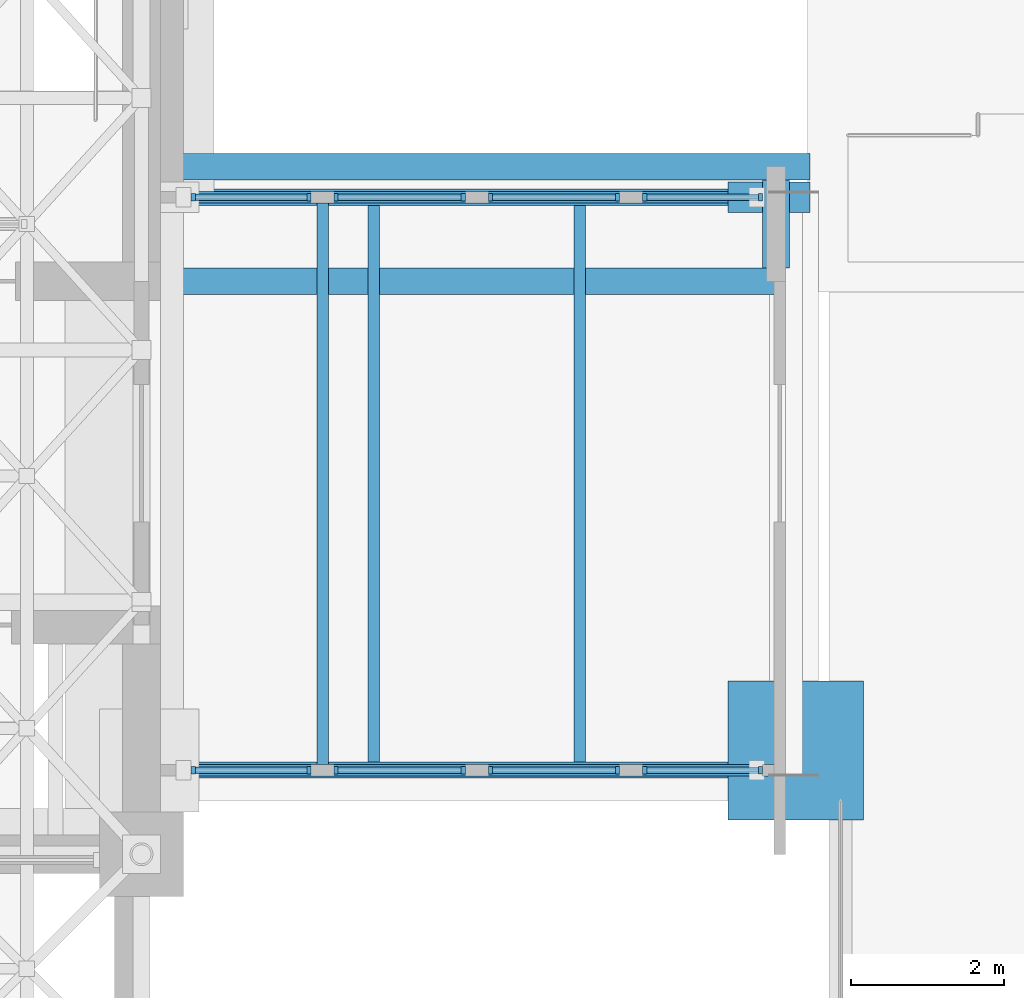
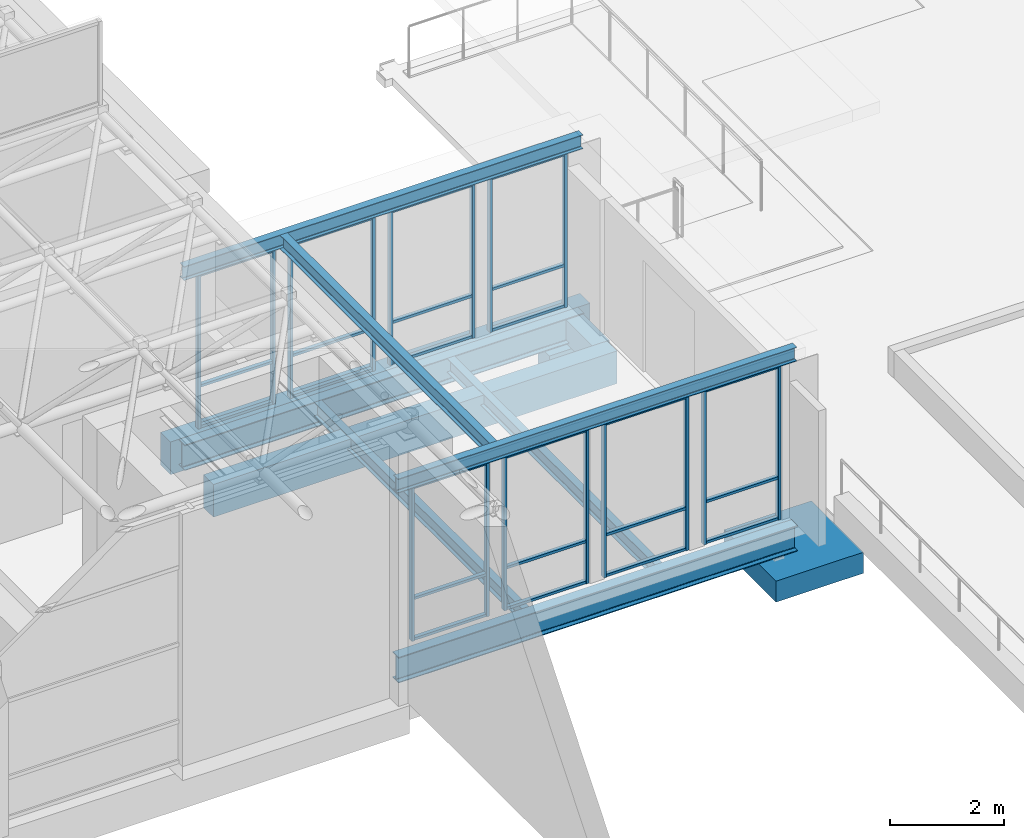
# One storey, part 12 of 53: 42 members, 10 beams, 8 elements without a shape of their own.
"""IFC4 building model written with IfcOpenShell, lengths in metres."""

from ifc_helpers import new_model, si_unit, direction, frame, origin, origin_2d, place, context, subcontext, project, spatial, rectangle, i_section, extrude, material, layer, layer_set, material_profile, profile_set, type_object, element, aggregate, save


model = new_model("IFC4")

# Units and contexts
model_context = context("Model", 3, precision=1e-05, world=origin(), true_north=direction((0.0, 1.0)))
body_context = subcontext(model_context, "Body", "Model", "MODEL_VIEW")
ifc_project = project(units=[si_unit("LENGTHUNIT", "METRE"), si_unit("AREAUNIT", "SQUARE_METRE"), si_unit("VOLUMEUNIT", "CUBIC_METRE"), si_unit("PLANEANGLEUNIT", "RADIAN"), si_unit("MASSUNIT", "GRAM", prefix="KILO")], contexts=[model_context])

# Site, building, storey
site_placement = place(None, origin())
site = spatial("IfcSite", under=ifc_project, at=site_placement, CompositionType="ELEMENT")
building_placement = place(site_placement, origin())
building = spatial("IfcBuilding", under=site, at=building_placement, Name="Aurelan Courthouse", CompositionType="ELEMENT")
storey_placement = place(building_placement, frame((0.0, 0.0, 12.0)))
storey = spatial("IfcBuildingStorey", under=building, at=storey_placement, Name="L02", CompositionType="ELEMENT", Elevation=12.0)

# Beams
ifc_material_1 = material(Name="Steel S355", Category="steel")
ifc_material_profile_1 = material_profile(ifc_material_1, i_section(OverallWidth=0.14990234375, OverallDepth=0.300048828125, WebThickness=0.007080078125, FlangeThickness=0.0107421875, FilletRadius=0.014892578125, at=origin_2d()), Name="IPE 300")
ifc_profile_set_1 = profile_set([ifc_material_profile_1], Name="Steel S355")
beam_type_1 = type_object("IfcBeamType", Name="Bridge cross beam IPE 300", PredefinedType="BEAM", material=ifc_profile_set_1)
for number, where, z_axis, x_axis, name in (
    (1, (66.043212890625, 13.205078125, -0.35009765625), (0.0, 1.0, 0.0), (-1.0, 0.0, 0.0), "Bridge cross beam BX-3"),
    (2, (68.73681640625, 13.205078125, -0.35009765625), (0.0, 1.0, 0.0), (-1.0, 0.0, 0.0), "Bridge cross beam BX-4"),
):
    element("IfcBeam", number, at=place(storey_placement, frame(where, z_axis=z_axis, x_axis=x_axis)), inside=storey, type_object=beam_type_1, Name=name, PredefinedType="BEAM", context=body_context, shape_type="SweptSolid", body=[
        extrude(i_section(OverallWidth=0.14990234375, OverallDepth=0.300048828125, WebThickness=0.007080078125, FlangeThickness=0.0107421875, FilletRadius=0.014892578125, at=origin_2d()), origin(), (0.0, 0.0, 1.0), 7.2900390625),
    ])
ifc_material_profile_2 = material_profile(ifc_material_1, i_section(OverallWidth=0.2099609375, OverallDepth=0.550048828125, WebThickness=0.010986328125, FlangeThickness=0.01708984375, FilletRadius=0.02392578125, at=origin_2d()), Name="IPE 550")
ifc_profile_set_2 = profile_set([ifc_material_profile_2], Name="Steel S355")
beam_type_2 = type_object("IfcBeamType", Name="Bridge girder IPE 550", PredefinedType="BEAM", material=ifc_profile_set_2)
for number, where, z_axis, x_axis, name in (
    (3, (63.35009765625, 13.10009765625, -0.47509765625), (1.0, 0.0, 0.0), (0.0, 1.0, 0.0), "Bridge girder BG-3"),
    (4, (63.35009765625, 20.60009765625, -0.47509765625), (1.0, 0.0, 0.0), (0.0, 1.0, 0.0), "Bridge girder BG-4"),
):
    element("IfcBeam", number, at=place(storey_placement, frame(where, z_axis=z_axis, x_axis=x_axis)), inside=storey, type_object=beam_type_2, Name=name, PredefinedType="BEAM", context=body_context, shape_type="SweptSolid", body=[
        extrude(i_section(OverallWidth=0.2099609375, OverallDepth=0.550048828125, WebThickness=0.010986328125, FlangeThickness=0.01708984375, FilletRadius=0.02392578125, at=origin_2d()), origin(), (0.0, 0.0, 1.0), 8.079833984375),
    ])

# Members
ifc_material_2 = material(Name="Concrete C50", Category="concrete")
member_type_1 = type_object("IfcMemberType", Name="Corbel 1070 x 400 x 450", PredefinedType="USERDEFINED", material=ifc_material_2)
member_1_placement = place(storey_placement, frame((71.215087890625, 20.60009765625, -1.25), z_axis=(0.0, 0.0, 1.0), x_axis=(1.0, 0.0, 0.0)))
element("IfcMember", 5, at=member_1_placement, inside=storey, type_object=member_type_1, Name="Corbel CO-8", ObjectType="CORBEL", PredefinedType="USERDEFINED", context=body_context, shape_type="SweptSolid", body=[
    extrude(rectangle(XDim=1.070068359375, YDim=0.39990234375, at=origin_2d()), origin(), (0.0, 0.0, 1.0), 0.449951171875),
])
member_type_2 = type_object("IfcMemberType", Name="Corbel 1770 x 1820 x 450", PredefinedType="USERDEFINED", material=ifc_material_2)
member_2_placement = place(storey_placement, frame((71.56494140625, 13.360107421875, -1.25), z_axis=(0.0, 0.0, 1.0), x_axis=(1.0, 0.0, 0.0)))
element("IfcMember", 6, at=member_2_placement, inside=storey, type_object=member_type_2, Name="Corbel CO-6", ObjectType="CORBEL", PredefinedType="USERDEFINED", context=body_context, shape_type="SweptSolid", body=[
    extrude(rectangle(XDim=1.77001953125, YDim=1.820068359375, at=origin_2d()), origin(), (0.0, 0.0, 1.0), 0.449951171875),
])

# Beams
ifc_material_profile_3 = material_profile(ifc_material_1, i_section(OverallWidth=0.14990234375, OverallDepth=0.300048828125, WebThickness=0.007080078125, FlangeThickness=0.0107421875, FilletRadius=0.014892578125, at=origin_2d()), Name="IPE 300")
ifc_profile_set_3 = profile_set([ifc_material_profile_3], Name="Steel S355")
beam_type_3 = type_object("IfcBeamType", Name="Passage cross beam IPE 300", PredefinedType="BEAM", material=ifc_profile_set_3)
beam_1_placement = place(storey_placement, frame((65.3701171875, 13.175048828125, 3.449951171875), z_axis=(0.0, 1.0, 0.0), x_axis=(-1.0, 0.0, 0.0)))
element("IfcBeam", 7, at=beam_1_placement, inside=storey, type_object=beam_type_3, Name="Passage cross beam BR2-BX", PredefinedType="BEAM", context=body_context, shape_type="SweptSolid", body=[
    extrude(i_section(OverallWidth=0.14990234375, OverallDepth=0.300048828125, WebThickness=0.007080078125, FlangeThickness=0.0107421875, FilletRadius=0.014892578125, at=origin_2d()), origin(), (0.0, 0.0, 1.0), 7.349853515625),
])
ifc_material_profile_4 = material_profile(ifc_material_1, i_section(OverallWidth=0.14990234375, OverallDepth=0.300048828125, WebThickness=0.007080078125, FlangeThickness=0.0107421875, FilletRadius=0.014892578125, at=origin_2d()), Name="IPE 300")
ifc_profile_set_4 = profile_set([ifc_material_profile_4], Name="Steel S355")
beam_type_4 = type_object("IfcBeamType", Name="Passage edge beam IPE 300", PredefinedType="BEAM", material=ifc_profile_set_4)
for number, where, z_axis, x_axis, name in (
    (8, (63.35009765625, 13.10009765625, 3.449951171875), (1.0, 0.0, 0.0), (0.0, 1.0, 0.0), "Passage edge beam BR2-BA"),
    (9, (63.35009765625, 20.60009765625, 3.449951171875), (1.0, 0.0, 0.0), (0.0, 1.0, 0.0), "Passage edge beam BR2-BB"),
):
    element("IfcBeam", number, at=place(storey_placement, frame(where, z_axis=z_axis, x_axis=x_axis)), inside=storey, type_object=beam_type_4, Name=name, PredefinedType="BEAM", context=body_context, shape_type="SweptSolid", body=[
        extrude(i_section(OverallWidth=0.14990234375, OverallDepth=0.300048828125, WebThickness=0.007080078125, FlangeThickness=0.0107421875, FilletRadius=0.014892578125, at=origin_2d()), origin(), (0.0, 0.0, 1.0), 8.079833984375),
    ])

# Curtain wall, members
ifc_material_3 = material(Name="Bronze-finished aluminium and glass", Category="aluminium")
ifc_layer_1 = layer(ifc_material_3, 0.1201171875)
ifc_layer_set_1 = layer_set([ifc_layer_1], Name="Bronze-finished aluminium and glass")
curtain_wall_type_1 = type_object("IfcCurtainWallType", Name="Passage glazing 1570 x 3300", PredefinedType="NOTDEFINED", material=ifc_layer_set_1)
curtain_wall_1_placement = place(storey_placement, origin())
curtain_wall_1 = element("IfcCurtainWall", 10, at=curtain_wall_1_placement, inside=storey, type_object=curtain_wall_type_1, Name="Curtain wall CW-L02-BR201", PredefinedType="NOTDEFINED")
ifc_material_4 = material(Name="Bronze-finished aluminium", Category="aluminium")
ifc_material_profile_5 = material_profile(ifc_material_4, rectangle(XDim=0.10009765625, YDim=0.054931640625, at=origin_2d()), Name="Passage glazing mullion 55 x 100")
ifc_profile_set_5 = profile_set([ifc_material_profile_5], Name="Bronze-finished aluminium")
member_type_3 = type_object("IfcMemberType", Name="Passage glazing mullion 55 x 100", PredefinedType="MULLION", material=ifc_profile_set_5)
member_3_placement = place(storey_placement, frame((63.677490234375, 13.10009765625, 0.0), z_axis=(0.0, 0.0, 1.0), x_axis=(0.0, 1.0, 0.0)))
member_3 = element("IfcMember", 11, at=member_3_placement, type_object=member_type_3, Name="CW-L02-BR201 mullion 1", PredefinedType="MULLION", context=body_context, shape_type="SweptSolid", body=[
    extrude(rectangle(XDim=0.10009765625, YDim=0.054931640625, at=origin_2d()), origin(), (0.0, 0.0, 1.0), 3.300048828125),
])
member_4_placement = place(storey_placement, frame((65.1923828125, 13.10009765625, 0.0), z_axis=(0.0, 0.0, 1.0), x_axis=(0.0, 1.0, 0.0)))
member_4 = element("IfcMember", 12, at=member_4_placement, type_object=member_type_3, Name="CW-L02-BR201 mullion 2", PredefinedType="MULLION", context=body_context, shape_type="SweptSolid", body=[
    extrude(rectangle(XDim=0.10009765625, YDim=0.054931640625, at=origin_2d()), origin(), (0.0, 0.0, 1.0), 3.300048828125),
])

ifc_layer_2 = layer(ifc_material_3, 0.1201171875)
ifc_layer_set_2 = layer_set([ifc_layer_2], Name="Bronze-finished aluminium and glass")
curtain_wall_type_2 = type_object("IfcCurtainWallType", Name="Passage glazing 1720 x 3300", PredefinedType="NOTDEFINED", material=ifc_layer_set_2)
curtain_wall_2_placement = place(storey_placement, origin())
curtain_wall_2 = element("IfcCurtainWall", 13, at=curtain_wall_2_placement, inside=storey, type_object=curtain_wall_type_2, Name="Curtain wall CW-L02-BR202", PredefinedType="NOTDEFINED")
member_5_placement = place(storey_placement, frame((65.547607421875, 13.10009765625, 0.0), z_axis=(0.0, 0.0, 1.0), x_axis=(0.0, 1.0, 0.0)))
member_5 = element("IfcMember", 14, at=member_5_placement, type_object=member_type_3, Name="CW-L02-BR202 mullion 1", PredefinedType="MULLION", context=body_context, shape_type="SweptSolid", body=[
    extrude(rectangle(XDim=0.10009765625, YDim=0.054931640625, at=origin_2d()), origin(), (0.0, 0.0, 1.0), 3.300048828125),
])
member_6_placement = place(storey_placement, frame((67.21240234375, 13.10009765625, 0.0), z_axis=(0.0, 0.0, 1.0), x_axis=(0.0, 1.0, 0.0)))
member_6 = element("IfcMember", 15, at=member_6_placement, type_object=member_type_3, Name="CW-L02-BR202 mullion 2", PredefinedType="MULLION", context=body_context, shape_type="SweptSolid", body=[
    extrude(rectangle(XDim=0.10009765625, YDim=0.054931640625, at=origin_2d()), origin(), (0.0, 0.0, 1.0), 3.300048828125),
])

curtain_wall_3_placement = place(storey_placement, origin())
curtain_wall_3 = element("IfcCurtainWall", 16, at=curtain_wall_3_placement, inside=storey, type_object=curtain_wall_type_2, Name="Curtain wall CW-L02-BR203", PredefinedType="NOTDEFINED")
member_7_placement = place(storey_placement, frame((67.5673828125, 13.10009765625, 0.0), z_axis=(0.0, 0.0, 1.0), x_axis=(0.0, 1.0, 0.0)))
member_7 = element("IfcMember", 17, at=member_7_placement, type_object=member_type_3, Name="CW-L02-BR203 mullion 1", PredefinedType="MULLION", context=body_context, shape_type="SweptSolid", body=[
    extrude(rectangle(XDim=0.10009765625, YDim=0.054931640625, at=origin_2d()), origin(), (0.0, 0.0, 1.0), 3.300048828125),
])
member_8_placement = place(storey_placement, frame((69.232421875, 13.10009765625, 0.0), z_axis=(0.0, 0.0, 1.0), x_axis=(0.0, 1.0, 0.0)))
member_8 = element("IfcMember", 18, at=member_8_placement, type_object=member_type_3, Name="CW-L02-BR203 mullion 2", PredefinedType="MULLION", context=body_context, shape_type="SweptSolid", body=[
    extrude(rectangle(XDim=0.10009765625, YDim=0.054931640625, at=origin_2d()), origin(), (0.0, 0.0, 1.0), 3.300048828125),
])

curtain_wall_4_placement = place(storey_placement, origin())
curtain_wall_4 = element("IfcCurtainWall", 19, at=curtain_wall_4_placement, inside=storey, type_object=curtain_wall_type_1, Name="Curtain wall CW-L02-BR204", PredefinedType="NOTDEFINED")
member_9_placement = place(storey_placement, frame((69.58740234375, 13.10009765625, 0.0), z_axis=(0.0, 0.0, 1.0), x_axis=(0.0, 1.0, 0.0)))
member_9 = element("IfcMember", 20, at=member_9_placement, type_object=member_type_3, Name="CW-L02-BR204 mullion 1", PredefinedType="MULLION", context=body_context, shape_type="SweptSolid", body=[
    extrude(rectangle(XDim=0.10009765625, YDim=0.054931640625, at=origin_2d()), origin(), (0.0, 0.0, 1.0), 3.300048828125),
])
member_10_placement = place(storey_placement, frame((71.1025390625, 13.10009765625, 0.0), z_axis=(0.0, 0.0, 1.0), x_axis=(0.0, 1.0, 0.0)))
member_10 = element("IfcMember", 21, at=member_10_placement, type_object=member_type_3, Name="CW-L02-BR204 mullion 2", PredefinedType="MULLION", context=body_context, shape_type="SweptSolid", body=[
    extrude(rectangle(XDim=0.10009765625, YDim=0.054931640625, at=origin_2d()), origin(), (0.0, 0.0, 1.0), 3.300048828125),
])

curtain_wall_5_placement = place(storey_placement, origin())
curtain_wall_5 = element("IfcCurtainWall", 22, at=curtain_wall_5_placement, inside=storey, type_object=curtain_wall_type_1, Name="Curtain wall CW-L02-BR205", PredefinedType="NOTDEFINED")
member_11_placement = place(storey_placement, frame((63.677490234375, 20.60009765625, 0.0), z_axis=(0.0, 0.0, 1.0), x_axis=(0.0, 1.0, 0.0)))
member_11 = element("IfcMember", 23, at=member_11_placement, type_object=member_type_3, Name="CW-L02-BR205 mullion 1", PredefinedType="MULLION", context=body_context, shape_type="SweptSolid", body=[
    extrude(rectangle(XDim=0.10009765625, YDim=0.054931640625, at=origin_2d()), origin(), (0.0, 0.0, 1.0), 3.300048828125),
])
member_12_placement = place(storey_placement, frame((65.1923828125, 20.60009765625, 0.0), z_axis=(0.0, 0.0, 1.0), x_axis=(0.0, 1.0, 0.0)))
member_12 = element("IfcMember", 24, at=member_12_placement, type_object=member_type_3, Name="CW-L02-BR205 mullion 2", PredefinedType="MULLION", context=body_context, shape_type="SweptSolid", body=[
    extrude(rectangle(XDim=0.10009765625, YDim=0.054931640625, at=origin_2d()), origin(), (0.0, 0.0, 1.0), 3.300048828125),
])

curtain_wall_6_placement = place(storey_placement, origin())
curtain_wall_6 = element("IfcCurtainWall", 25, at=curtain_wall_6_placement, inside=storey, type_object=curtain_wall_type_2, Name="Curtain wall CW-L02-BR206", PredefinedType="NOTDEFINED")
member_13_placement = place(storey_placement, frame((65.547607421875, 20.60009765625, 0.0), z_axis=(0.0, 0.0, 1.0), x_axis=(0.0, 1.0, 0.0)))
member_13 = element("IfcMember", 26, at=member_13_placement, type_object=member_type_3, Name="CW-L02-BR206 mullion 1", PredefinedType="MULLION", context=body_context, shape_type="SweptSolid", body=[
    extrude(rectangle(XDim=0.10009765625, YDim=0.054931640625, at=origin_2d()), origin(), (0.0, 0.0, 1.0), 3.300048828125),
])
member_14_placement = place(storey_placement, frame((67.21240234375, 20.60009765625, 0.0), z_axis=(0.0, 0.0, 1.0), x_axis=(0.0, 1.0, 0.0)))
member_14 = element("IfcMember", 27, at=member_14_placement, type_object=member_type_3, Name="CW-L02-BR206 mullion 2", PredefinedType="MULLION", context=body_context, shape_type="SweptSolid", body=[
    extrude(rectangle(XDim=0.10009765625, YDim=0.054931640625, at=origin_2d()), origin(), (0.0, 0.0, 1.0), 3.300048828125),
])

curtain_wall_7_placement = place(storey_placement, origin())
curtain_wall_7 = element("IfcCurtainWall", 28, at=curtain_wall_7_placement, inside=storey, type_object=curtain_wall_type_2, Name="Curtain wall CW-L02-BR207", PredefinedType="NOTDEFINED")
member_15_placement = place(storey_placement, frame((67.5673828125, 20.60009765625, 0.0), z_axis=(0.0, 0.0, 1.0), x_axis=(0.0, 1.0, 0.0)))
member_15 = element("IfcMember", 29, at=member_15_placement, type_object=member_type_3, Name="CW-L02-BR207 mullion 1", PredefinedType="MULLION", context=body_context, shape_type="SweptSolid", body=[
    extrude(rectangle(XDim=0.10009765625, YDim=0.054931640625, at=origin_2d()), origin(), (0.0, 0.0, 1.0), 3.300048828125),
])
member_16_placement = place(storey_placement, frame((69.232421875, 20.60009765625, 0.0), z_axis=(0.0, 0.0, 1.0), x_axis=(0.0, 1.0, 0.0)))
member_16 = element("IfcMember", 30, at=member_16_placement, type_object=member_type_3, Name="CW-L02-BR207 mullion 2", PredefinedType="MULLION", context=body_context, shape_type="SweptSolid", body=[
    extrude(rectangle(XDim=0.10009765625, YDim=0.054931640625, at=origin_2d()), origin(), (0.0, 0.0, 1.0), 3.300048828125),
])

curtain_wall_8_placement = place(storey_placement, origin())
curtain_wall_8 = element("IfcCurtainWall", 31, at=curtain_wall_8_placement, inside=storey, type_object=curtain_wall_type_1, Name="Curtain wall CW-L02-BR208", PredefinedType="NOTDEFINED")
member_17_placement = place(storey_placement, frame((69.58740234375, 20.60009765625, 0.0), z_axis=(0.0, 0.0, 1.0), x_axis=(0.0, 1.0, 0.0)))
member_17 = element("IfcMember", 32, at=member_17_placement, type_object=member_type_3, Name="CW-L02-BR208 mullion 1", PredefinedType="MULLION", context=body_context, shape_type="SweptSolid", body=[
    extrude(rectangle(XDim=0.10009765625, YDim=0.054931640625, at=origin_2d()), origin(), (0.0, 0.0, 1.0), 3.300048828125),
])
member_18_placement = place(storey_placement, frame((71.1025390625, 20.60009765625, 0.0), z_axis=(0.0, 0.0, 1.0), x_axis=(0.0, 1.0, 0.0)))
member_18 = element("IfcMember", 33, at=member_18_placement, type_object=member_type_3, Name="CW-L02-BR208 mullion 2", PredefinedType="MULLION", context=body_context, shape_type="SweptSolid", body=[
    extrude(rectangle(XDim=0.10009765625, YDim=0.054931640625, at=origin_2d()), origin(), (0.0, 0.0, 1.0), 3.300048828125),
])

# Member
ifc_material_profile_6 = material_profile(ifc_material_4, rectangle(XDim=0.080078125, YDim=0.054931640625, at=origin_2d()), Name="Passage glazing transom 55 x 80")
ifc_profile_set_6 = profile_set([ifc_material_profile_6], Name="Bronze-finished aluminium")
member_type_4 = type_object("IfcMemberType", Name="Passage glazing transom 55 x 80", PredefinedType="USERDEFINED", material=ifc_profile_set_6)
member_19_placement = place(storey_placement, frame((63.705078125, 13.10009765625, 0.027587890625), z_axis=(1.0, 0.0, 0.0), x_axis=(0.0, 1.0, 0.0)))
member_19 = element("IfcMember", 34, at=member_19_placement, type_object=member_type_4, Name="CW-L02-BR201 transom 1.1", ObjectType="TRANSOM", PredefinedType="USERDEFINED", context=body_context, shape_type="SweptSolid", body=[
    extrude(rectangle(XDim=0.080078125, YDim=0.054931640625, at=origin_2d()), origin(), (0.0, 0.0, 1.0), 1.4599609375),
])

member_20_placement = place(storey_placement, frame((63.705078125, 13.10009765625, 0.89990234375), z_axis=(1.0, 0.0, 0.0), x_axis=(0.0, 1.0, 0.0)))
member_20 = element("IfcMember", 35, at=member_20_placement, type_object=member_type_4, Name="CW-L02-BR201 transom 1.2", ObjectType="TRANSOM", PredefinedType="USERDEFINED", context=body_context, shape_type="SweptSolid", body=[
    extrude(rectangle(XDim=0.080078125, YDim=0.054931640625, at=origin_2d()), origin(), (0.0, 0.0, 1.0), 1.4599609375),
])

member_21_placement = place(storey_placement, frame((63.705078125, 13.10009765625, 3.2724609375), z_axis=(1.0, 0.0, 0.0), x_axis=(0.0, 1.0, 0.0)))
member_21 = element("IfcMember", 36, at=member_21_placement, type_object=member_type_4, Name="CW-L02-BR201 transom 1.3", ObjectType="TRANSOM", PredefinedType="USERDEFINED", context=body_context, shape_type="SweptSolid", body=[
    extrude(rectangle(XDim=0.080078125, YDim=0.054931640625, at=origin_2d()), origin(), (0.0, 0.0, 1.0), 1.4599609375),
])

aggregate(curtain_wall_1, [member_3, member_4, member_19, member_20, member_21])

member_22_placement = place(storey_placement, frame((65.574951171875, 13.10009765625, 0.027587890625), z_axis=(1.0, 0.0, 0.0), x_axis=(0.0, 1.0, 0.0)))
member_22 = element("IfcMember", 37, at=member_22_placement, type_object=member_type_4, Name="CW-L02-BR202 transom 1.1", ObjectType="TRANSOM", PredefinedType="USERDEFINED", context=body_context, shape_type="SweptSolid", body=[
    extrude(rectangle(XDim=0.080078125, YDim=0.054931640625, at=origin_2d()), origin(), (0.0, 0.0, 1.0), 1.610107421875),
])

member_23_placement = place(storey_placement, frame((65.574951171875, 13.10009765625, 0.89990234375), z_axis=(1.0, 0.0, 0.0), x_axis=(0.0, 1.0, 0.0)))
member_23 = element("IfcMember", 38, at=member_23_placement, type_object=member_type_4, Name="CW-L02-BR202 transom 1.2", ObjectType="TRANSOM", PredefinedType="USERDEFINED", context=body_context, shape_type="SweptSolid", body=[
    extrude(rectangle(XDim=0.080078125, YDim=0.054931640625, at=origin_2d()), origin(), (0.0, 0.0, 1.0), 1.610107421875),
])

member_24_placement = place(storey_placement, frame((65.574951171875, 13.10009765625, 3.2724609375), z_axis=(1.0, 0.0, 0.0), x_axis=(0.0, 1.0, 0.0)))
member_24 = element("IfcMember", 39, at=member_24_placement, type_object=member_type_4, Name="CW-L02-BR202 transom 1.3", ObjectType="TRANSOM", PredefinedType="USERDEFINED", context=body_context, shape_type="SweptSolid", body=[
    extrude(rectangle(XDim=0.080078125, YDim=0.054931640625, at=origin_2d()), origin(), (0.0, 0.0, 1.0), 1.610107421875),
])

aggregate(curtain_wall_2, [member_5, member_6, member_22, member_23, member_24])

member_25_placement = place(storey_placement, frame((67.594970703125, 13.10009765625, 0.027587890625), z_axis=(1.0, 0.0, 0.0), x_axis=(0.0, 1.0, 0.0)))
member_25 = element("IfcMember", 40, at=member_25_placement, type_object=member_type_4, Name="CW-L02-BR203 transom 1.1", ObjectType="TRANSOM", PredefinedType="USERDEFINED", context=body_context, shape_type="SweptSolid", body=[
    extrude(rectangle(XDim=0.080078125, YDim=0.054931640625, at=origin_2d()), origin(), (0.0, 0.0, 1.0), 1.610107421875),
])

member_26_placement = place(storey_placement, frame((67.594970703125, 13.10009765625, 0.89990234375), z_axis=(1.0, 0.0, 0.0), x_axis=(0.0, 1.0, 0.0)))
member_26 = element("IfcMember", 41, at=member_26_placement, type_object=member_type_4, Name="CW-L02-BR203 transom 1.2", ObjectType="TRANSOM", PredefinedType="USERDEFINED", context=body_context, shape_type="SweptSolid", body=[
    extrude(rectangle(XDim=0.080078125, YDim=0.054931640625, at=origin_2d()), origin(), (0.0, 0.0, 1.0), 1.610107421875),
])

member_27_placement = place(storey_placement, frame((67.594970703125, 13.10009765625, 3.2724609375), z_axis=(1.0, 0.0, 0.0), x_axis=(0.0, 1.0, 0.0)))
member_27 = element("IfcMember", 42, at=member_27_placement, type_object=member_type_4, Name="CW-L02-BR203 transom 1.3", ObjectType="TRANSOM", PredefinedType="USERDEFINED", context=body_context, shape_type="SweptSolid", body=[
    extrude(rectangle(XDim=0.080078125, YDim=0.054931640625, at=origin_2d()), origin(), (0.0, 0.0, 1.0), 1.610107421875),
])

aggregate(curtain_wall_3, [member_7, member_8, member_25, member_26, member_27])

member_28_placement = place(storey_placement, frame((69.614990234375, 13.10009765625, 0.027587890625), z_axis=(1.0, 0.0, 0.0), x_axis=(0.0, 1.0, 0.0)))
member_28 = element("IfcMember", 43, at=member_28_placement, type_object=member_type_4, Name="CW-L02-BR204 transom 1.1", ObjectType="TRANSOM", PredefinedType="USERDEFINED", context=body_context, shape_type="SweptSolid", body=[
    extrude(rectangle(XDim=0.080078125, YDim=0.054931640625, at=origin_2d()), origin(), (0.0, 0.0, 1.0), 1.4599609375),
])

member_29_placement = place(storey_placement, frame((69.614990234375, 13.10009765625, 0.89990234375), z_axis=(1.0, 0.0, 0.0), x_axis=(0.0, 1.0, 0.0)))
member_29 = element("IfcMember", 44, at=member_29_placement, type_object=member_type_4, Name="CW-L02-BR204 transom 1.2", ObjectType="TRANSOM", PredefinedType="USERDEFINED", context=body_context, shape_type="SweptSolid", body=[
    extrude(rectangle(XDim=0.080078125, YDim=0.054931640625, at=origin_2d()), origin(), (0.0, 0.0, 1.0), 1.4599609375),
])

member_30_placement = place(storey_placement, frame((69.614990234375, 13.10009765625, 3.2724609375), z_axis=(1.0, 0.0, 0.0), x_axis=(0.0, 1.0, 0.0)))
member_30 = element("IfcMember", 45, at=member_30_placement, type_object=member_type_4, Name="CW-L02-BR204 transom 1.3", ObjectType="TRANSOM", PredefinedType="USERDEFINED", context=body_context, shape_type="SweptSolid", body=[
    extrude(rectangle(XDim=0.080078125, YDim=0.054931640625, at=origin_2d()), origin(), (0.0, 0.0, 1.0), 1.4599609375),
])

aggregate(curtain_wall_4, [member_9, member_10, member_28, member_29, member_30])

member_31_placement = place(storey_placement, frame((63.705078125, 20.60009765625, 0.027587890625), z_axis=(1.0, 0.0, 0.0), x_axis=(0.0, 1.0, 0.0)))
member_31 = element("IfcMember", 46, at=member_31_placement, type_object=member_type_4, Name="CW-L02-BR205 transom 1.1", ObjectType="TRANSOM", PredefinedType="USERDEFINED", context=body_context, shape_type="SweptSolid", body=[
    extrude(rectangle(XDim=0.080078125, YDim=0.054931640625, at=origin_2d()), origin(), (0.0, 0.0, 1.0), 1.4599609375),
])

member_32_placement = place(storey_placement, frame((63.705078125, 20.60009765625, 0.89990234375), z_axis=(1.0, 0.0, 0.0), x_axis=(0.0, 1.0, 0.0)))
member_32 = element("IfcMember", 47, at=member_32_placement, type_object=member_type_4, Name="CW-L02-BR205 transom 1.2", ObjectType="TRANSOM", PredefinedType="USERDEFINED", context=body_context, shape_type="SweptSolid", body=[
    extrude(rectangle(XDim=0.080078125, YDim=0.054931640625, at=origin_2d()), origin(), (0.0, 0.0, 1.0), 1.4599609375),
])

member_33_placement = place(storey_placement, frame((63.705078125, 20.60009765625, 3.2724609375), z_axis=(1.0, 0.0, 0.0), x_axis=(0.0, 1.0, 0.0)))
member_33 = element("IfcMember", 48, at=member_33_placement, type_object=member_type_4, Name="CW-L02-BR205 transom 1.3", ObjectType="TRANSOM", PredefinedType="USERDEFINED", context=body_context, shape_type="SweptSolid", body=[
    extrude(rectangle(XDim=0.080078125, YDim=0.054931640625, at=origin_2d()), origin(), (0.0, 0.0, 1.0), 1.4599609375),
])

aggregate(curtain_wall_5, [member_11, member_12, member_31, member_32, member_33])

member_34_placement = place(storey_placement, frame((65.574951171875, 20.60009765625, 0.027587890625), z_axis=(1.0, 0.0, 0.0), x_axis=(0.0, 1.0, 0.0)))
member_34 = element("IfcMember", 49, at=member_34_placement, type_object=member_type_4, Name="CW-L02-BR206 transom 1.1", ObjectType="TRANSOM", PredefinedType="USERDEFINED", context=body_context, shape_type="SweptSolid", body=[
    extrude(rectangle(XDim=0.080078125, YDim=0.054931640625, at=origin_2d()), origin(), (0.0, 0.0, 1.0), 1.610107421875),
])

member_35_placement = place(storey_placement, frame((65.574951171875, 20.60009765625, 0.89990234375), z_axis=(1.0, 0.0, 0.0), x_axis=(0.0, 1.0, 0.0)))
member_35 = element("IfcMember", 50, at=member_35_placement, type_object=member_type_4, Name="CW-L02-BR206 transom 1.2", ObjectType="TRANSOM", PredefinedType="USERDEFINED", context=body_context, shape_type="SweptSolid", body=[
    extrude(rectangle(XDim=0.080078125, YDim=0.054931640625, at=origin_2d()), origin(), (0.0, 0.0, 1.0), 1.610107421875),
])

member_36_placement = place(storey_placement, frame((65.574951171875, 20.60009765625, 3.2724609375), z_axis=(1.0, 0.0, 0.0), x_axis=(0.0, 1.0, 0.0)))
member_36 = element("IfcMember", 51, at=member_36_placement, type_object=member_type_4, Name="CW-L02-BR206 transom 1.3", ObjectType="TRANSOM", PredefinedType="USERDEFINED", context=body_context, shape_type="SweptSolid", body=[
    extrude(rectangle(XDim=0.080078125, YDim=0.054931640625, at=origin_2d()), origin(), (0.0, 0.0, 1.0), 1.610107421875),
])

aggregate(curtain_wall_6, [member_13, member_14, member_34, member_35, member_36])

member_37_placement = place(storey_placement, frame((67.594970703125, 20.60009765625, 0.027587890625), z_axis=(1.0, 0.0, 0.0), x_axis=(0.0, 1.0, 0.0)))
member_37 = element("IfcMember", 52, at=member_37_placement, type_object=member_type_4, Name="CW-L02-BR207 transom 1.1", ObjectType="TRANSOM", PredefinedType="USERDEFINED", context=body_context, shape_type="SweptSolid", body=[
    extrude(rectangle(XDim=0.080078125, YDim=0.054931640625, at=origin_2d()), origin(), (0.0, 0.0, 1.0), 1.610107421875),
])

member_38_placement = place(storey_placement, frame((67.594970703125, 20.60009765625, 0.89990234375), z_axis=(1.0, 0.0, 0.0), x_axis=(0.0, 1.0, 0.0)))
member_38 = element("IfcMember", 53, at=member_38_placement, type_object=member_type_4, Name="CW-L02-BR207 transom 1.2", ObjectType="TRANSOM", PredefinedType="USERDEFINED", context=body_context, shape_type="SweptSolid", body=[
    extrude(rectangle(XDim=0.080078125, YDim=0.054931640625, at=origin_2d()), origin(), (0.0, 0.0, 1.0), 1.610107421875),
])

member_39_placement = place(storey_placement, frame((67.594970703125, 20.60009765625, 3.2724609375), z_axis=(1.0, 0.0, 0.0), x_axis=(0.0, 1.0, 0.0)))
member_39 = element("IfcMember", 54, at=member_39_placement, type_object=member_type_4, Name="CW-L02-BR207 transom 1.3", ObjectType="TRANSOM", PredefinedType="USERDEFINED", context=body_context, shape_type="SweptSolid", body=[
    extrude(rectangle(XDim=0.080078125, YDim=0.054931640625, at=origin_2d()), origin(), (0.0, 0.0, 1.0), 1.610107421875),
])

aggregate(curtain_wall_7, [member_15, member_16, member_37, member_38, member_39])

member_40_placement = place(storey_placement, frame((69.614990234375, 20.60009765625, 0.027587890625), z_axis=(1.0, 0.0, 0.0), x_axis=(0.0, 1.0, 0.0)))
member_40 = element("IfcMember", 55, at=member_40_placement, type_object=member_type_4, Name="CW-L02-BR208 transom 1.1", ObjectType="TRANSOM", PredefinedType="USERDEFINED", context=body_context, shape_type="SweptSolid", body=[
    extrude(rectangle(XDim=0.080078125, YDim=0.054931640625, at=origin_2d()), origin(), (0.0, 0.0, 1.0), 1.4599609375),
])

member_41_placement = place(storey_placement, frame((69.614990234375, 20.60009765625, 0.89990234375), z_axis=(1.0, 0.0, 0.0), x_axis=(0.0, 1.0, 0.0)))
member_41 = element("IfcMember", 56, at=member_41_placement, type_object=member_type_4, Name="CW-L02-BR208 transom 1.2", ObjectType="TRANSOM", PredefinedType="USERDEFINED", context=body_context, shape_type="SweptSolid", body=[
    extrude(rectangle(XDim=0.080078125, YDim=0.054931640625, at=origin_2d()), origin(), (0.0, 0.0, 1.0), 1.4599609375),
])

member_42_placement = place(storey_placement, frame((69.614990234375, 20.60009765625, 3.2724609375), z_axis=(1.0, 0.0, 0.0), x_axis=(0.0, 1.0, 0.0)))
member_42 = element("IfcMember", 57, at=member_42_placement, type_object=member_type_4, Name="CW-L02-BR208 transom 1.3", ObjectType="TRANSOM", PredefinedType="USERDEFINED", context=body_context, shape_type="SweptSolid", body=[
    extrude(rectangle(XDim=0.080078125, YDim=0.054931640625, at=origin_2d()), origin(), (0.0, 0.0, 1.0), 1.4599609375),
])

aggregate(curtain_wall_8, [member_17, member_18, member_40, member_41, member_42])

# Beams
ifc_material_5 = material(Name="Concrete C40", Category="concrete")
ifc_material_profile_7 = material_profile(ifc_material_5, rectangle(XDim=0.35009765625, YDim=0.5, at=origin_2d()), Name="RC 350 x 500")
ifc_profile_set_7 = profile_set([ifc_material_profile_7], Name="Concrete C40")
beam_type_5 = type_object("IfcBeamType", Name="RC wall beam 350 x 500", PredefinedType="BEAM", material=ifc_profile_set_7)
beam_2_placement = place(storey_placement, frame((71.304931640625, 19.675048828125, -0.550048828125), z_axis=(0.0, 1.0, 0.0), x_axis=(-1.0, 0.0, 0.0)))
element("IfcBeam", 58, at=beam_2_placement, inside=storey, type_object=beam_type_5, Name="Wall beam WB-L02-003", PredefinedType="BEAM", context=body_context, shape_type="SweptSolid", body=[
    extrude(rectangle(XDim=0.35009765625, YDim=0.5, at=origin_2d()), origin(), (0.0, 0.0, 1.0), 1.14990234375),
])
ifc_material_profile_8 = material_profile(ifc_material_5, rectangle(XDim=0.35009765625, YDim=0.699951171875, at=origin_2d()), Name="RC 350 x 700")
ifc_profile_set_8 = profile_set([ifc_material_profile_8], Name="Concrete C40")
beam_type_6 = type_object("IfcBeamType", Name="RC wall beam 350 x 700", PredefinedType="BEAM", material=ifc_profile_set_8)
beam_3_placement = place(storey_placement, frame((63.25, 19.5, -0.64990234375), z_axis=(1.0, 0.0, 0.0), x_axis=(0.0, 1.0, 0.0)))
element("IfcBeam", 59, at=beam_3_placement, inside=storey, type_object=beam_type_6, Name="Wall beam WB-L02-001", PredefinedType="BEAM", context=body_context, shape_type="SweptSolid", body=[
    extrude(rectangle(XDim=0.35009765625, YDim=0.699951171875, at=origin_2d()), origin(), (0.0, 0.0, 1.0), 8.179931640625),
])
beam_4_placement = place(storey_placement, frame((63.25, 21.0, -0.64990234375), z_axis=(1.0, 0.0, 0.0), x_axis=(0.0, 1.0, 0.0)))
element("IfcBeam", 60, at=beam_4_placement, inside=storey, type_object=beam_type_6, Name="Wall beam WB-L02-002", PredefinedType="BEAM", context=body_context, shape_type="SweptSolid", body=[
    extrude(rectangle(XDim=0.35009765625, YDim=0.699951171875, at=origin_2d()), origin(), (0.0, 0.0, 1.0), 8.5),
])

save(model, "model.ifc")
